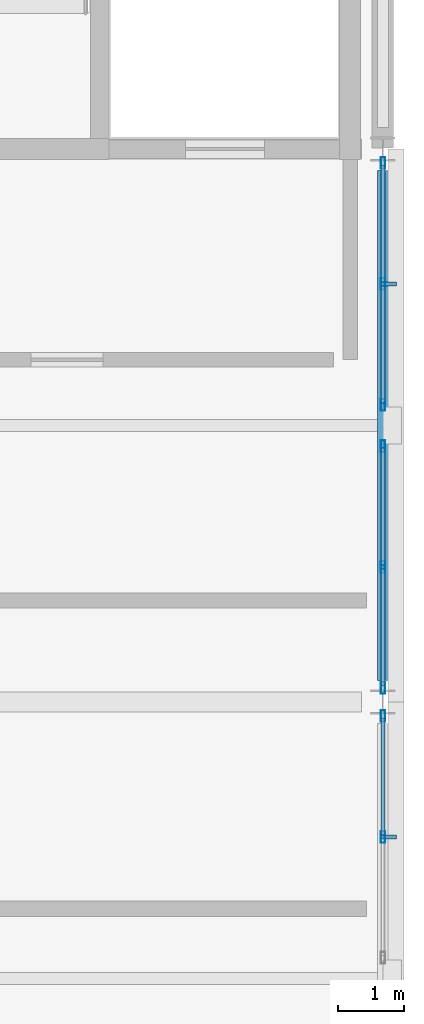
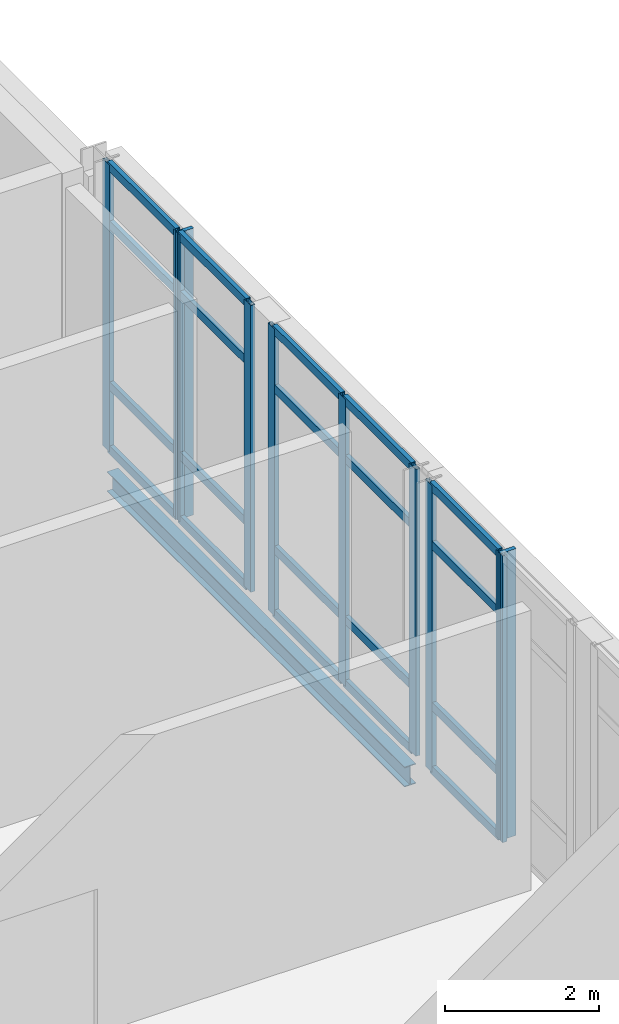
# One storey, part 28 of 52: 30 members, 1 beam, 3 elements without a shape of their own.
"""IFC4 building model written with IfcOpenShell, lengths in metres."""

from ifc_helpers import new_model, si_unit, direction, frame, origin, origin_2d, place, context, subcontext, project, spatial, rectangle, hollow_rectangle, i_section, extrude, material, layer, layer_set, material_profile, profile_set, type_object, element, aggregate, save


model = new_model("IFC4")

# Units and contexts
model_context = context("Model", 3, precision=1e-05, world=origin(), true_north=direction((0.0, 1.0)))
body_context = subcontext(model_context, "Body", "Model", "MODEL_VIEW")
ifc_project = project(units=[si_unit("LENGTHUNIT", "METRE"), si_unit("AREAUNIT", "SQUARE_METRE"), si_unit("VOLUMEUNIT", "CUBIC_METRE"), si_unit("PLANEANGLEUNIT", "RADIAN"), si_unit("MASSUNIT", "GRAM", prefix="KILO")], contexts=[model_context])

# Site, building, storey
site_placement = place(None, origin())
site = spatial("IfcSite", under=ifc_project, at=site_placement, CompositionType="ELEMENT")
building_placement = place(site_placement, origin())
building = spatial("IfcBuilding", under=site, at=building_placement, Name="Lornevale Opera House", CompositionType="ELEMENT")
storey_placement = place(building_placement, frame((0.0, 0.0, 15.0)))
storey = spatial("IfcBuildingStorey", under=building, at=storey_placement, Name="L04", CompositionType="ELEMENT", Elevation=15.0)

# Curtain wall, members
ifc_material_1 = material(Name="Anodized Oxide-Green Aluminium Framing", Category="aluminium")
ifc_layer = layer(ifc_material_1, 0.179931640625)
ifc_layer_set = layer_set([ifc_layer], Name="Anodized Oxide-Green Aluminium Framing")
curtain_wall_type = type_object("IfcCurtainWallType", Name="Promenade Gallery Curtain Wall M1800", PredefinedType="NOTDEFINED", material=ifc_layer_set)
curtain_wall_1_placement = place(storey_placement, origin())
curtain_wall_1 = element("IfcCurtainWall", 1, at=curtain_wall_1_placement, inside=storey, type_object=curtain_wall_type, Name="Promenade Gallery Curtain Wall M1800 CW-167", PredefinedType="NOTDEFINED")
ifc_material_profile_1 = material_profile(ifc_material_1, hollow_rectangle(XDim=0.06494140625, YDim=0.179931640625, WallThickness=0.0048828125, at=origin_2d()), Name="ALU65x180x5")
ifc_profile_set_1 = profile_set([ifc_material_profile_1], Name="Anodized Oxide-Green Aluminium Framing")
member_type_1 = type_object("IfcMemberType", Name="Curtain Wall Mullion 65x180", PredefinedType="MULLION", material=ifc_profile_set_1)
member_1_placement = place(storey_placement, frame((144.0, 58.58740234375, 0.0), z_axis=(0.0, 0.0, 1.0), x_axis=(1.0, 0.0, 0.0)))
member_1 = element("IfcMember", 2, at=member_1_placement, type_object=member_type_1, Name="Curtain Wall Mullion 65x180 CW3391", PredefinedType="MULLION", context=body_context, shape_type="SweptSolid", body=[
    extrude(hollow_rectangle(XDim=0.06494140625, YDim=0.179931640625, WallThickness=0.0048828125, at=origin_2d()), origin(), (0.0, 0.0, 1.0), 4.56005859375),
])
member_2_placement = place(storey_placement, frame((144.0, 56.75, 0.0), z_axis=(0.0, 0.0, 1.0), x_axis=(1.0, 0.0, 0.0)))
member_2 = element("IfcMember", 3, at=member_2_placement, type_object=member_type_1, Name="Curtain Wall Mullion 65x180 CW3392", PredefinedType="MULLION", context=body_context, shape_type="SweptSolid", body=[
    extrude(hollow_rectangle(XDim=0.06494140625, YDim=0.179931640625, WallThickness=0.0048828125, at=origin_2d()), origin(), (0.0, 0.0, 1.0), 4.56005859375),
])

curtain_wall_2_placement = place(storey_placement, origin())
curtain_wall_2 = element("IfcCurtainWall", 4, at=curtain_wall_2_placement, inside=storey, type_object=curtain_wall_type, Name="Promenade Gallery Curtain Wall M1800 CW-169", PredefinedType="NOTDEFINED")
member_3_placement = place(storey_placement, frame((144.0, 66.987548828125, 0.0), z_axis=(0.0, 0.0, 1.0), x_axis=(1.0, 0.0, 0.0)))
member_3 = element("IfcMember", 5, at=member_3_placement, type_object=member_type_1, Name="Curtain Wall Mullion 65x180 CW3425", PredefinedType="MULLION", context=body_context, shape_type="SweptSolid", body=[
    extrude(hollow_rectangle(XDim=0.06494140625, YDim=0.179931640625, WallThickness=0.0048828125, at=origin_2d()), origin(), (0.0, 0.0, 1.0), 4.56005859375),
])
member_4_placement = place(storey_placement, frame((144.0, 65.14990234375, 0.0), z_axis=(0.0, 0.0, 1.0), x_axis=(1.0, 0.0, 0.0)))
member_4 = element("IfcMember", 6, at=member_4_placement, type_object=member_type_1, Name="Curtain Wall Mullion 65x180 CW3426", PredefinedType="MULLION", context=body_context, shape_type="SweptSolid", body=[
    extrude(hollow_rectangle(XDim=0.06494140625, YDim=0.179931640625, WallThickness=0.0048828125, at=origin_2d()), origin(), (0.0, 0.0, 1.0), 4.56005859375),
])
member_5_placement = place(storey_placement, frame((144.0, 63.3125, 0.0), z_axis=(0.0, 0.0, 1.0), x_axis=(1.0, 0.0, 0.0)))
member_5 = element("IfcMember", 7, at=member_5_placement, type_object=member_type_1, Name="Curtain Wall Mullion 65x180 CW3427", PredefinedType="MULLION", context=body_context, shape_type="SweptSolid", body=[
    extrude(hollow_rectangle(XDim=0.06494140625, YDim=0.179931640625, WallThickness=0.0048828125, at=origin_2d()), origin(), (0.0, 0.0, 1.0), 4.56005859375),
])

curtain_wall_3_placement = place(storey_placement, origin())
curtain_wall_3 = element("IfcCurtainWall", 8, at=curtain_wall_3_placement, inside=storey, type_object=curtain_wall_type, Name="Promenade Gallery Curtain Wall M1800 CW-170", PredefinedType="NOTDEFINED")
member_6_placement = place(storey_placement, frame((144.0, 62.6875, 0.0), z_axis=(0.0, 0.0, 1.0), x_axis=(1.0, 0.0, 0.0)))
member_6 = element("IfcMember", 9, at=member_6_placement, type_object=member_type_1, Name="Curtain Wall Mullion 65x180 CW3442", PredefinedType="MULLION", context=body_context, shape_type="SweptSolid", body=[
    extrude(hollow_rectangle(XDim=0.06494140625, YDim=0.179931640625, WallThickness=0.0048828125, at=origin_2d()), origin(), (0.0, 0.0, 1.0), 4.56005859375),
])
member_7_placement = place(storey_placement, frame((144.0, 60.85009765625, 0.0), z_axis=(0.0, 0.0, 1.0), x_axis=(1.0, 0.0, 0.0)))
member_7 = element("IfcMember", 10, at=member_7_placement, type_object=member_type_1, Name="Curtain Wall Mullion 65x180 CW3443", PredefinedType="MULLION", context=body_context, shape_type="SweptSolid", body=[
    extrude(hollow_rectangle(XDim=0.06494140625, YDim=0.179931640625, WallThickness=0.0048828125, at=origin_2d()), origin(), (0.0, 0.0, 1.0), 4.56005859375),
])
member_8_placement = place(storey_placement, frame((144.0, 59.012451171875, 0.0), z_axis=(0.0, 0.0, 1.0), x_axis=(1.0, 0.0, 0.0)))
member_8 = element("IfcMember", 11, at=member_8_placement, type_object=member_type_1, Name="Curtain Wall Mullion 65x180 CW3444", PredefinedType="MULLION", context=body_context, shape_type="SweptSolid", body=[
    extrude(hollow_rectangle(XDim=0.06494140625, YDim=0.179931640625, WallThickness=0.0048828125, at=origin_2d()), origin(), (0.0, 0.0, 1.0), 4.56005859375),
])

# Member
ifc_material_profile_2 = material_profile(ifc_material_1, hollow_rectangle(XDim=0.06494140625, YDim=0.135009765625, WallThickness=0.00390625, at=origin_2d()), Name="ALU65x135x4")
ifc_profile_set_2 = profile_set([ifc_material_profile_2], Name="Anodized Oxide-Green Aluminium Framing")
member_type_2 = type_object("IfcMemberType", Name="Curtain Wall Transom 65x135", PredefinedType="USERDEFINED", material=ifc_profile_set_2)
member_9_placement = place(storey_placement, frame((144.0, 58.554931640625, 0.032470703125), z_axis=(0.0, -1.0, 0.0), x_axis=(1.0, 0.0, 0.0)))
member_9 = element("IfcMember", 12, at=member_9_placement, type_object=member_type_2, Name="Curtain Wall Transom 65x135 CW3394", ObjectType="TRANSOM", PredefinedType="USERDEFINED", context=body_context, shape_type="SweptSolid", body=[
    extrude(hollow_rectangle(XDim=0.06494140625, YDim=0.135009765625, WallThickness=0.00390625, at=origin_2d()), origin(), (0.0, 0.0, 1.0), 1.7724609375),
])

member_10_placement = place(storey_placement, frame((144.0, 58.554931640625, 1.050048828125), z_axis=(0.0, -1.0, 0.0), x_axis=(1.0, 0.0, 0.0)))
member_10 = element("IfcMember", 13, at=member_10_placement, type_object=member_type_2, Name="Curtain Wall Transom 65x135 CW3395", ObjectType="TRANSOM", PredefinedType="USERDEFINED", context=body_context, shape_type="SweptSolid", body=[
    extrude(hollow_rectangle(XDim=0.06494140625, YDim=0.135009765625, WallThickness=0.00390625, at=origin_2d()), origin(), (0.0, 0.0, 1.0), 1.7724609375),
])

member_11_placement = place(storey_placement, frame((144.0, 58.554931640625, 3.610107421875), z_axis=(0.0, -1.0, 0.0), x_axis=(1.0, 0.0, 0.0)))
member_11 = element("IfcMember", 14, at=member_11_placement, type_object=member_type_2, Name="Curtain Wall Transom 65x135 CW3396", ObjectType="TRANSOM", PredefinedType="USERDEFINED", context=body_context, shape_type="SweptSolid", body=[
    extrude(hollow_rectangle(XDim=0.06494140625, YDim=0.135009765625, WallThickness=0.00390625, at=origin_2d()), origin(), (0.0, 0.0, 1.0), 1.7724609375),
])

member_12_placement = place(storey_placement, frame((144.0, 58.554931640625, 4.527587890625), z_axis=(0.0, -1.0, 0.0), x_axis=(1.0, 0.0, 0.0)))
member_12 = element("IfcMember", 15, at=member_12_placement, type_object=member_type_2, Name="Curtain Wall Transom 65x135 CW3397", ObjectType="TRANSOM", PredefinedType="USERDEFINED", context=body_context, shape_type="SweptSolid", body=[
    extrude(hollow_rectangle(XDim=0.06494140625, YDim=0.135009765625, WallThickness=0.00390625, at=origin_2d()), origin(), (0.0, 0.0, 1.0), 1.7724609375),
])

member_13_placement = place(storey_placement, frame((144.0, 66.955078125, 0.032470703125), z_axis=(0.0, -1.0, 0.0), x_axis=(1.0, 0.0, 0.0)))
member_13 = element("IfcMember", 16, at=member_13_placement, type_object=member_type_2, Name="Curtain Wall Transom 65x135 CW3428", ObjectType="TRANSOM", PredefinedType="USERDEFINED", context=body_context, shape_type="SweptSolid", body=[
    extrude(hollow_rectangle(XDim=0.06494140625, YDim=0.135009765625, WallThickness=0.00390625, at=origin_2d()), origin(), (0.0, 0.0, 1.0), 1.7724609375),
])

member_14_placement = place(storey_placement, frame((144.0, 66.955078125, 1.050048828125), z_axis=(0.0, -1.0, 0.0), x_axis=(1.0, 0.0, 0.0)))
member_14 = element("IfcMember", 17, at=member_14_placement, type_object=member_type_2, Name="Curtain Wall Transom 65x135 CW3429", ObjectType="TRANSOM", PredefinedType="USERDEFINED", context=body_context, shape_type="SweptSolid", body=[
    extrude(hollow_rectangle(XDim=0.06494140625, YDim=0.135009765625, WallThickness=0.00390625, at=origin_2d()), origin(), (0.0, 0.0, 1.0), 1.7724609375),
])

member_15_placement = place(storey_placement, frame((144.0, 66.955078125, 3.610107421875), z_axis=(0.0, -1.0, 0.0), x_axis=(1.0, 0.0, 0.0)))
member_15 = element("IfcMember", 18, at=member_15_placement, type_object=member_type_2, Name="Curtain Wall Transom 65x135 CW3430", ObjectType="TRANSOM", PredefinedType="USERDEFINED", context=body_context, shape_type="SweptSolid", body=[
    extrude(hollow_rectangle(XDim=0.06494140625, YDim=0.135009765625, WallThickness=0.00390625, at=origin_2d()), origin(), (0.0, 0.0, 1.0), 1.7724609375),
])

member_16_placement = place(storey_placement, frame((144.0, 66.955078125, 4.527587890625), z_axis=(0.0, -1.0, 0.0), x_axis=(1.0, 0.0, 0.0)))
member_16 = element("IfcMember", 19, at=member_16_placement, type_object=member_type_2, Name="Curtain Wall Transom 65x135 CW3431", ObjectType="TRANSOM", PredefinedType="USERDEFINED", context=body_context, shape_type="SweptSolid", body=[
    extrude(hollow_rectangle(XDim=0.06494140625, YDim=0.135009765625, WallThickness=0.00390625, at=origin_2d()), origin(), (0.0, 0.0, 1.0), 1.7724609375),
])

member_17_placement = place(storey_placement, frame((144.0, 65.117431640625, 0.032470703125), z_axis=(0.0, -1.0, 0.0), x_axis=(1.0, 0.0, 0.0)))
member_17 = element("IfcMember", 20, at=member_17_placement, type_object=member_type_2, Name="Curtain Wall Transom 65x135 CW3435", ObjectType="TRANSOM", PredefinedType="USERDEFINED", context=body_context, shape_type="SweptSolid", body=[
    extrude(hollow_rectangle(XDim=0.06494140625, YDim=0.135009765625, WallThickness=0.00390625, at=origin_2d()), origin(), (0.0, 0.0, 1.0), 1.7724609375),
])

member_18_placement = place(storey_placement, frame((144.0, 65.117431640625, 1.050048828125), z_axis=(0.0, -1.0, 0.0), x_axis=(1.0, 0.0, 0.0)))
member_18 = element("IfcMember", 21, at=member_18_placement, type_object=member_type_2, Name="Curtain Wall Transom 65x135 CW3436", ObjectType="TRANSOM", PredefinedType="USERDEFINED", context=body_context, shape_type="SweptSolid", body=[
    extrude(hollow_rectangle(XDim=0.06494140625, YDim=0.135009765625, WallThickness=0.00390625, at=origin_2d()), origin(), (0.0, 0.0, 1.0), 1.7724609375),
])

member_19_placement = place(storey_placement, frame((144.0, 65.117431640625, 3.610107421875), z_axis=(0.0, -1.0, 0.0), x_axis=(1.0, 0.0, 0.0)))
member_19 = element("IfcMember", 22, at=member_19_placement, type_object=member_type_2, Name="Curtain Wall Transom 65x135 CW3437", ObjectType="TRANSOM", PredefinedType="USERDEFINED", context=body_context, shape_type="SweptSolid", body=[
    extrude(hollow_rectangle(XDim=0.06494140625, YDim=0.135009765625, WallThickness=0.00390625, at=origin_2d()), origin(), (0.0, 0.0, 1.0), 1.7724609375),
])

member_20_placement = place(storey_placement, frame((144.0, 65.117431640625, 4.527587890625), z_axis=(0.0, -1.0, 0.0), x_axis=(1.0, 0.0, 0.0)))
member_20 = element("IfcMember", 23, at=member_20_placement, type_object=member_type_2, Name="Curtain Wall Transom 65x135 CW3438", ObjectType="TRANSOM", PredefinedType="USERDEFINED", context=body_context, shape_type="SweptSolid", body=[
    extrude(hollow_rectangle(XDim=0.06494140625, YDim=0.135009765625, WallThickness=0.00390625, at=origin_2d()), origin(), (0.0, 0.0, 1.0), 1.7724609375),
])

member_21_placement = place(storey_placement, frame((144.0, 62.655029296875, 0.032470703125), z_axis=(0.0, -1.0, 0.0), x_axis=(1.0, 0.0, 0.0)))
member_21 = element("IfcMember", 24, at=member_21_placement, type_object=member_type_2, Name="Curtain Wall Transom 65x135 CW3445", ObjectType="TRANSOM", PredefinedType="USERDEFINED", context=body_context, shape_type="SweptSolid", body=[
    extrude(hollow_rectangle(XDim=0.06494140625, YDim=0.135009765625, WallThickness=0.00390625, at=origin_2d()), origin(), (0.0, 0.0, 1.0), 1.7724609375),
])

member_22_placement = place(storey_placement, frame((144.0, 62.655029296875, 1.050048828125), z_axis=(0.0, -1.0, 0.0), x_axis=(1.0, 0.0, 0.0)))
member_22 = element("IfcMember", 25, at=member_22_placement, type_object=member_type_2, Name="Curtain Wall Transom 65x135 CW3446", ObjectType="TRANSOM", PredefinedType="USERDEFINED", context=body_context, shape_type="SweptSolid", body=[
    extrude(hollow_rectangle(XDim=0.06494140625, YDim=0.135009765625, WallThickness=0.00390625, at=origin_2d()), origin(), (0.0, 0.0, 1.0), 1.7724609375),
])

member_23_placement = place(storey_placement, frame((144.0, 62.655029296875, 3.610107421875), z_axis=(0.0, -1.0, 0.0), x_axis=(1.0, 0.0, 0.0)))
member_23 = element("IfcMember", 26, at=member_23_placement, type_object=member_type_2, Name="Curtain Wall Transom 65x135 CW3447", ObjectType="TRANSOM", PredefinedType="USERDEFINED", context=body_context, shape_type="SweptSolid", body=[
    extrude(hollow_rectangle(XDim=0.06494140625, YDim=0.135009765625, WallThickness=0.00390625, at=origin_2d()), origin(), (0.0, 0.0, 1.0), 1.7724609375),
])

member_24_placement = place(storey_placement, frame((144.0, 62.655029296875, 4.527587890625), z_axis=(0.0, -1.0, 0.0), x_axis=(1.0, 0.0, 0.0)))
member_24 = element("IfcMember", 27, at=member_24_placement, type_object=member_type_2, Name="Curtain Wall Transom 65x135 CW3448", ObjectType="TRANSOM", PredefinedType="USERDEFINED", context=body_context, shape_type="SweptSolid", body=[
    extrude(hollow_rectangle(XDim=0.06494140625, YDim=0.135009765625, WallThickness=0.00390625, at=origin_2d()), origin(), (0.0, 0.0, 1.0), 1.7724609375),
])

member_25_placement = place(storey_placement, frame((144.0, 60.8173828125, 0.032470703125), z_axis=(0.0, -1.0, 0.0), x_axis=(1.0, 0.0, 0.0)))
member_25 = element("IfcMember", 28, at=member_25_placement, type_object=member_type_2, Name="Curtain Wall Transom 65x135 CW3452", ObjectType="TRANSOM", PredefinedType="USERDEFINED", context=body_context, shape_type="SweptSolid", body=[
    extrude(hollow_rectangle(XDim=0.06494140625, YDim=0.135009765625, WallThickness=0.00390625, at=origin_2d()), origin(), (0.0, 0.0, 1.0), 1.7724609375),
])

member_26_placement = place(storey_placement, frame((144.0, 60.8173828125, 1.050048828125), z_axis=(0.0, -1.0, 0.0), x_axis=(1.0, 0.0, 0.0)))
member_26 = element("IfcMember", 29, at=member_26_placement, type_object=member_type_2, Name="Curtain Wall Transom 65x135 CW3453", ObjectType="TRANSOM", PredefinedType="USERDEFINED", context=body_context, shape_type="SweptSolid", body=[
    extrude(hollow_rectangle(XDim=0.06494140625, YDim=0.135009765625, WallThickness=0.00390625, at=origin_2d()), origin(), (0.0, 0.0, 1.0), 1.7724609375),
])

member_27_placement = place(storey_placement, frame((144.0, 60.8173828125, 3.610107421875), z_axis=(0.0, -1.0, 0.0), x_axis=(1.0, 0.0, 0.0)))
member_27 = element("IfcMember", 30, at=member_27_placement, type_object=member_type_2, Name="Curtain Wall Transom 65x135 CW3454", ObjectType="TRANSOM", PredefinedType="USERDEFINED", context=body_context, shape_type="SweptSolid", body=[
    extrude(hollow_rectangle(XDim=0.06494140625, YDim=0.135009765625, WallThickness=0.00390625, at=origin_2d()), origin(), (0.0, 0.0, 1.0), 1.7724609375),
])

member_28_placement = place(storey_placement, frame((144.0, 60.8173828125, 4.527587890625), z_axis=(0.0, -1.0, 0.0), x_axis=(1.0, 0.0, 0.0)))
member_28 = element("IfcMember", 31, at=member_28_placement, type_object=member_type_2, Name="Curtain Wall Transom 65x135 CW3455", ObjectType="TRANSOM", PredefinedType="USERDEFINED", context=body_context, shape_type="SweptSolid", body=[
    extrude(hollow_rectangle(XDim=0.06494140625, YDim=0.135009765625, WallThickness=0.00390625, at=origin_2d()), origin(), (0.0, 0.0, 1.0), 1.7724609375),
])

aggregate(curtain_wall_3, [member_6, member_7, member_8, member_21, member_22, member_23, member_24, member_25, member_26, member_27, member_28])

ifc_material_2 = material(Name="Architectural Bronze Solar Louvre Alloy", Category="metal")
ifc_material_profile_3 = material_profile(ifc_material_2, rectangle(XDim=0.06005859375, YDim=0.239990234375, at=origin_2d()), Name="FIN60x240")
ifc_profile_set_3 = profile_set([ifc_material_profile_3], Name="Architectural Bronze Solar Louvre Alloy")
member_type_3 = type_object("IfcMemberType", Name="Solar Shading Fin 60x240", PredefinedType="USERDEFINED", material=ifc_profile_set_3)
member_29_placement = place(storey_placement, frame((144.083984375, 56.75, 0.0), z_axis=(0.0, 0.0, 1.0), x_axis=(0.0, -1.0, 0.0)))
member_29 = element("IfcMember", 32, at=member_29_placement, type_object=member_type_3, Name="Solar Shading Fin 60x240 FIN0069", ObjectType="SOLAR FIN", PredefinedType="USERDEFINED", context=body_context, shape_type="SweptSolid", body=[
    extrude(rectangle(XDim=0.06005859375, YDim=0.239990234375, at=origin_2d()), origin(), (0.0, 0.0, 1.0), 4.56005859375),
])

aggregate(curtain_wall_1, [member_1, member_2, member_9, member_10, member_11, member_12, member_29])

member_30_placement = place(storey_placement, frame((144.083984375, 65.14990234375, 0.0), z_axis=(0.0, 0.0, 1.0), x_axis=(0.0, -1.0, 0.0)))
member_30 = element("IfcMember", 33, at=member_30_placement, type_object=member_type_3, Name="Solar Shading Fin 60x240 FIN0070", ObjectType="SOLAR FIN", PredefinedType="USERDEFINED", context=body_context, shape_type="SweptSolid", body=[
    extrude(rectangle(XDim=0.06005859375, YDim=0.239990234375, at=origin_2d()), origin(), (0.0, 0.0, 1.0), 4.56005859375),
])

aggregate(curtain_wall_2, [member_3, member_4, member_5, member_13, member_14, member_15, member_16, member_17, member_18, member_19, member_20, member_30])

# Beam
ifc_material_3 = material(Name="Structural Steel CSA G40.21 Grade 350W (350 MPa)", Category="steel")
ifc_material_profile_4 = material_profile(ifc_material_3, i_section(OverallWidth=0.1669921875, OverallDepth=0.31689453125, WebThickness=0.007568359375, FlangeThickness=0.01318359375, at=origin_2d()), Name="W310x52")
ifc_profile_set_4 = profile_set([ifc_material_profile_4], Name="Structural Steel CSA G40.21 Grade 350W (350 MPa)")
beam_type = type_object("IfcBeamType", Name="Steel Spandrel Beam W310x52", PredefinedType="SPANDREL", material=ifc_profile_set_4)
beam_placement = place(storey_placement, frame((144.0, 59.125, -0.43359375), z_axis=(0.0, 1.0, 0.0), x_axis=(-1.0, 0.0, 0.0)))
element("IfcBeam", 34, at=beam_placement, inside=storey, type_object=beam_type, Name="Steel Spandrel Beam W310x52 2651", PredefinedType="SPANDREL", context=body_context, shape_type="SweptSolid", body=[
    extrude(i_section(OverallWidth=0.1669921875, OverallDepth=0.31689453125, WebThickness=0.007568359375, FlangeThickness=0.01318359375, at=origin_2d()), origin(), (0.0, 0.0, 1.0), 7.75),
])

save(model, "model.ifc")
